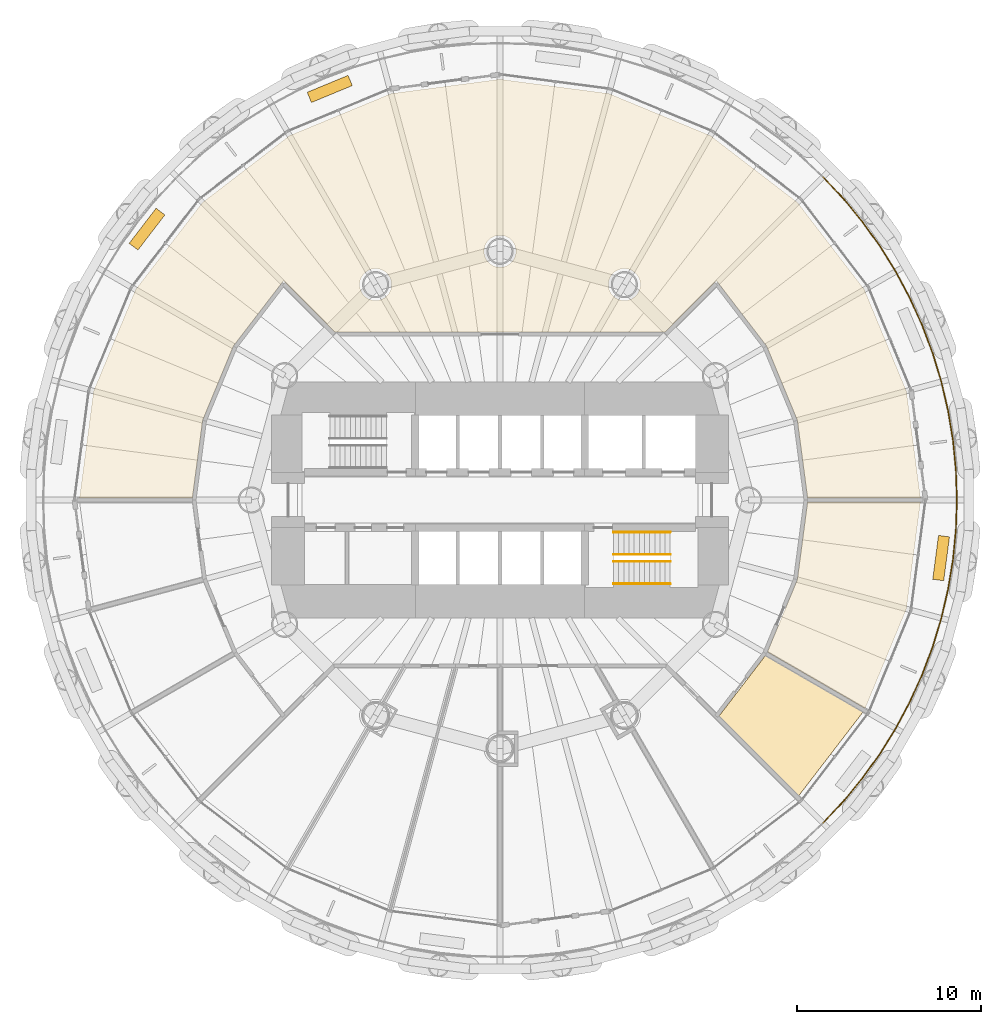
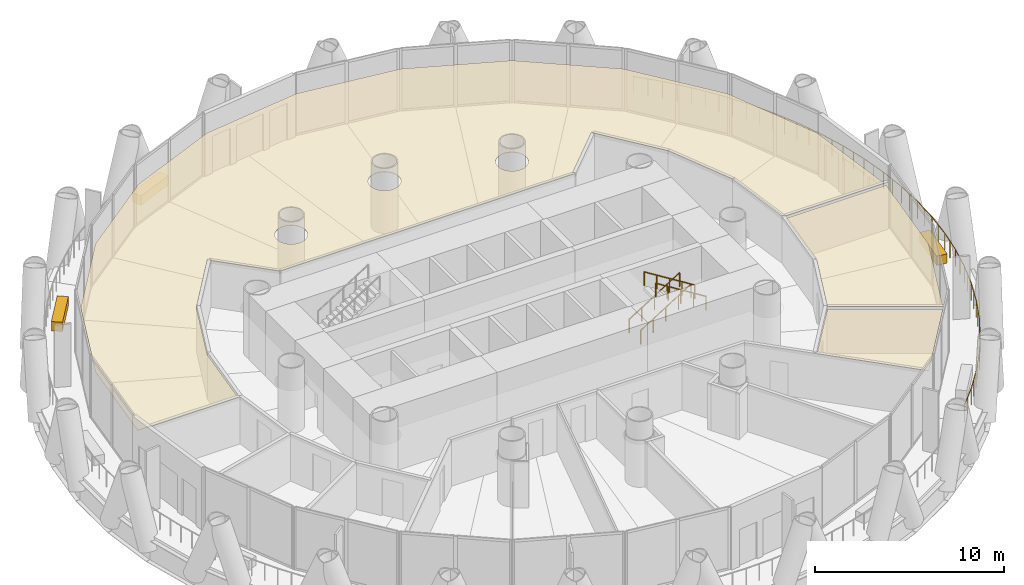
# One storey, part 15 of 16: 6 coverings, 5 railings.
"""IFC4 building model written with IfcOpenShell, lengths in metres."""

from ifc_helpers import new_model, si_unit, direction, frame, origin, origin_2d, place, context, subcontext, project, spatial, polyline, rectangle, circle, outline, extrude, material, layer, layer_set, type_object, element, save


model = new_model("IFC4")

# Units and contexts
model_context = context("Model", 3, precision=1e-05, world=origin(), true_north=direction((0.0, 1.0)))
body_context = subcontext(model_context, "Body", "Model", "MODEL_VIEW")
ifc_project = project(units=[si_unit("LENGTHUNIT", "METRE"), si_unit("AREAUNIT", "SQUARE_METRE"), si_unit("VOLUMEUNIT", "CUBIC_METRE"), si_unit("PLANEANGLEUNIT", "RADIAN"), si_unit("MASSUNIT", "GRAM", prefix="KILO")], contexts=[model_context])

# Site, building, storey
site_placement = place(None, origin())
site = spatial("IfcSite", under=ifc_project, at=site_placement, CompositionType="ELEMENT")
building_placement = place(site_placement, origin())
building = spatial("IfcBuilding", under=site, at=building_placement, Name="Qaws Media Tower", CompositionType="ELEMENT")
storey_placement = place(building_placement, frame((0.0, 0.0, 80.60009765625)))
storey = spatial("IfcBuildingStorey", under=building, at=storey_placement, Name="L17", CompositionType="ELEMENT", Elevation=80.60009765625)

# Coverings
ifc_material_1 = material(Name="40 perforated acoustic panels with mineral wool backing, suspended", Category="mineral fibre")
ifc_layer_1 = layer(ifc_material_1, 0.0400390625)
ifc_layer_set_1 = layer_set([ifc_layer_1], Name="Acoustic panel ceiling 40")
covering_type_1 = type_object("IfcCoveringType", Name="Acoustic panel ceiling 40", PredefinedType="CEILING", material=ifc_layer_set_1)
covering_1_placement = place(storey_placement, frame((0.0, 0.0, 2.849853515625)))
element("IfcCovering", 1, at=covering_1_placement, inside=storey, type_object=covering_type_1, Name="CL3 ceiling L17-02 Newsroom", PredefinedType="CEILING", context=body_context, shape_type="SweptSolid", body=[
    extrude(outline(polyline([(37.94287109375, 55.91015625), (40.22412109375, 61.41748046875), (43.85302734375, 66.14697265625), (48.58251953125, 69.77587890625), (54.08984375, 72.05712890625), (60.0, 72.835205078125), (65.91015625, 72.05712890625), (71.41748046875, 69.77587890625), (76.14697265625, 66.14697265625), (79.77587890625, 61.41748046875), (82.05712890625, 55.91015625), (82.8203125, 50.112548828125), (76.69873046875, 50.112548828125), (76.14404296875, 54.32568359375), (74.474365234375, 58.356689453125), (71.7490234375, 61.908203125), (68.953369140625, 59.112548828125), (51.046630859375, 59.112548828125), (48.2509765625, 61.908203125), (45.525634765625, 58.356689453125), (43.85595703125, 54.32568359375), (43.30126953125, 50.112548828125), (37.1796875, 50.112548828125), (37.94287109375, 55.91015625)]), holes=[polyline([(54.0546875, 61.35791015625), (54.09130859375, 61.4658203125), (54.113525390625, 61.57763671875), (54.12109375, 61.69140625), (54.113525390625, 61.804931640625), (54.09130859375, 61.916748046875), (54.0546875, 62.024658203125), (54.00439453125, 62.126708984375), (53.94091796875, 62.2216796875), (53.865966796875, 62.30712890625), (53.7802734375, 62.38232421875), (53.685546875, 62.44580078125), (53.583251953125, 62.49609375), (53.475341796875, 62.53271484375), (53.36376953125, 62.554931640625), (53.25, 62.562255859375), (53.13623046875, 62.554931640625), (53.024658203125, 62.53271484375), (52.916748046875, 62.49609375), (52.814453125, 62.44580078125), (52.7197265625, 62.38232421875), (52.634033203125, 62.30712890625), (52.55908203125, 62.2216796875), (52.49560546875, 62.126708984375), (52.4453125, 62.024658203125), (52.40869140625, 61.916748046875), (52.386474609375, 61.804931640625), (52.37890625, 61.69140625), (52.386474609375, 61.57763671875), (52.40869140625, 61.4658203125), (52.4453125, 61.35791015625), (52.49560546875, 61.255859375), (52.55908203125, 61.1611328125), (52.634033203125, 61.075439453125), (52.7197265625, 61.000244140625), (52.814453125, 60.93701171875), (52.916748046875, 60.88671875), (53.024658203125, 60.85009765625), (53.13623046875, 60.827880859375), (53.25, 60.8203125), (53.36376953125, 60.827880859375), (53.475341796875, 60.85009765625), (53.583251953125, 60.88671875), (53.685546875, 60.93701171875), (53.7802734375, 61.000244140625), (53.865966796875, 61.075439453125), (53.94091796875, 61.1611328125), (54.00439453125, 61.255859375), (54.0546875, 61.35791015625)]), polyline([(60.8046875, 63.166748046875), (60.84130859375, 63.274658203125), (60.863525390625, 63.38623046875), (60.87109375, 63.5), (60.863525390625, 63.61376953125), (60.84130859375, 63.725341796875), (60.8046875, 63.833251953125), (60.75439453125, 63.935546875), (60.69091796875, 64.0302734375), (60.615966796875, 64.115966796875), (60.5302734375, 64.19091796875), (60.435546875, 64.25439453125), (60.333251953125, 64.3046875), (60.225341796875, 64.34130859375), (60.11376953125, 64.363525390625), (60.0, 64.37109375), (59.88623046875, 64.363525390625), (59.774658203125, 64.34130859375), (59.666748046875, 64.3046875), (59.564453125, 64.25439453125), (59.4697265625, 64.19091796875), (59.384033203125, 64.115966796875), (59.30908203125, 64.0302734375), (59.24560546875, 63.935546875), (59.1953125, 63.833251953125), (59.15869140625, 63.725341796875), (59.136474609375, 63.61376953125), (59.12890625, 63.5), (59.136474609375, 63.38623046875), (59.15869140625, 63.274658203125), (59.1953125, 63.166748046875), (59.24560546875, 63.064453125), (59.30908203125, 62.9697265625), (59.384033203125, 62.884033203125), (59.4697265625, 62.80908203125), (59.564453125, 62.74560546875), (59.666748046875, 62.6953125), (59.774658203125, 62.65869140625), (59.88623046875, 62.636474609375), (60.0, 62.62890625), (60.11376953125, 62.636474609375), (60.225341796875, 62.65869140625), (60.333251953125, 62.6953125), (60.435546875, 62.74560546875), (60.5302734375, 62.80908203125), (60.615966796875, 62.884033203125), (60.69091796875, 62.9697265625), (60.75439453125, 63.064453125), (60.8046875, 63.166748046875)]), polyline([(67.5546875, 61.35791015625), (67.59130859375, 61.4658203125), (67.613525390625, 61.57763671875), (67.62109375, 61.69140625), (67.613525390625, 61.804931640625), (67.59130859375, 61.916748046875), (67.5546875, 62.024658203125), (67.50439453125, 62.126708984375), (67.44091796875, 62.2216796875), (67.365966796875, 62.30712890625), (67.2802734375, 62.38232421875), (67.185546875, 62.44580078125), (67.083251953125, 62.49609375), (66.975341796875, 62.53271484375), (66.86376953125, 62.554931640625), (66.75, 62.562255859375), (66.63623046875, 62.554931640625), (66.524658203125, 62.53271484375), (66.416748046875, 62.49609375), (66.314453125, 62.44580078125), (66.2197265625, 62.38232421875), (66.134033203125, 62.30712890625), (66.05908203125, 62.2216796875), (65.99560546875, 62.126708984375), (65.9453125, 62.024658203125), (65.90869140625, 61.916748046875), (65.886474609375, 61.804931640625), (65.87890625, 61.69140625), (65.886474609375, 61.57763671875), (65.90869140625, 61.4658203125), (65.9453125, 61.35791015625), (65.99560546875, 61.255859375), (66.05908203125, 61.1611328125), (66.134033203125, 61.075439453125), (66.2197265625, 61.000244140625), (66.314453125, 60.93701171875), (66.416748046875, 60.88671875), (66.524658203125, 60.85009765625), (66.63623046875, 60.827880859375), (66.75, 60.8203125), (66.86376953125, 60.827880859375), (66.975341796875, 60.85009765625), (67.083251953125, 60.88671875), (67.185546875, 60.93701171875), (67.2802734375, 61.000244140625), (67.365966796875, 61.075439453125), (67.44091796875, 61.1611328125), (67.50439453125, 61.255859375), (67.5546875, 61.35791015625)])]), origin(), (0.0, 0.0, 1.0), 0.0400390625),
])
covering_2_placement = place(storey_placement, frame((0.0, 0.0, 2.849853515625)))
element("IfcCovering", 2, at=covering_2_placement, inside=storey, type_object=covering_type_1, Name="CL3 ceiling L17-12 Newsroom", PredefinedType="CEILING", context=body_context, shape_type="SweptSolid", body=[
    extrude(outline(polyline([(76.14404296875, 45.67431640625), (76.69873046875, 49.887451171875), (82.8203125, 49.887451171875), (82.05712890625, 44.08984375), (79.8193359375, 38.687255859375), (74.517578125, 41.748046875), (76.14404296875, 45.67431640625)])), origin(), (0.0, 0.0, 1.0), 0.0400390625),
])

# Railing
ifc_material_2 = material(Name="Stainless steel and glass guard", Category="steel")
railing_type_1 = type_object("IfcRailingType", Name="Balcony guard 1100", PredefinedType="GUARDRAIL", material=ifc_material_2)
railing_placement = place(storey_placement, frame((77.5361328125, 32.4638671875, 0.0)))
element("IfcRailing", 3, at=railing_placement, inside=storey, type_object=railing_type_1, Name="GR1 balcony guard L17-4", PredefinedType="GUARDRAIL", context=body_context, shape_type="SweptSolid", body=[
    extrude(circle(Radius=0.02392578125, at=origin_2d()), frame((0.0, 0.0, 1.076171875), z_axis=(0.683635794022, 0.729823335563, 0.0), x_axis=(-0.729823335563, 0.683635794022, 0.0)), (0.0, 0.0, 1.0), 1.622802734375),
    extrude(circle(Radius=0.02392578125, at=origin_2d()), frame((1.109375, 1.184326171875, 1.076171875), z_axis=(0.634351188595, 0.773044998385, 0.0), x_axis=(-0.773044998385, 0.634351188595, 0.0)), (0.0, 0.0, 1.0), 1.623046875),
    extrude(circle(Radius=0.02392578125, at=origin_2d()), frame((2.138916015625, 2.43896484375, 1.076171875), z_axis=(0.582504032604, 0.812827812024, 0.0), x_axis=(-0.812827812024, 0.582504032604, 0.0)), (0.0, 0.0, 1.0), 1.622802734375),
    extrude(circle(Radius=0.02392578125, at=origin_2d()), frame((3.084228515625, 3.758056640625, 1.076171875), z_axis=(0.528145239967, 0.849154052867, 0.0), x_axis=(-0.849154052867, 0.528145239967, 0.0)), (0.0, 0.0, 1.0), 1.623046875),
    extrude(circle(Radius=0.02392578125, at=origin_2d()), frame((3.94140625, 5.13623046875, 1.076171875), z_axis=(0.471361130301, 0.881940295508, 0.0), x_axis=(-0.881940295508, 0.471361130301, 0.0)), (0.0, 0.0, 1.0), 1.622802734375),
    extrude(circle(Radius=0.02392578125, at=origin_2d()), frame((4.706298828125, 6.5673828125, 1.076171875), z_axis=(0.412646518677, 0.910891239734, 0.0), x_axis=(-0.910891239734, 0.412646518677, 0.0)), (0.0, 0.0, 1.0), 1.622802734375),
    extrude(circle(Radius=0.02392578125, at=origin_2d()), frame((5.3759765625, 8.045654296875, 1.076171875), z_axis=(0.352326658486, 0.935877089003, 0.0), x_axis=(-0.935877089003, 0.352326658486, 0.0)), (0.0, 0.0, 1.0), 1.622802734375),
    extrude(circle(Radius=0.02392578125, at=origin_2d()), frame((5.94775390625, 9.564453125, 1.076171875), z_axis=(0.290341398585, 0.956923127669, 0.0), x_axis=(-0.956923127669, 0.290341398585, 0.0)), (0.0, 0.0, 1.0), 1.622802734375),
    extrude(circle(Radius=0.02392578125, at=origin_2d()), frame((6.4189453125, 11.117431640625, 1.076171875), z_axis=(0.227001346389, 0.973894444351, 0.0), x_axis=(-0.973894444351, 0.227001346389, 0.0)), (0.0, 0.0, 1.0), 1.623046875),
    extrude(circle(Radius=0.02392578125, at=origin_2d()), frame((6.787353515625, 12.697998046875, 1.076171875), z_axis=(0.162934989647, 0.986636807112, 0.0), x_axis=(-0.986636807112, 0.162934989647, 0.0)), (0.0, 0.0, 1.0), 1.622802734375),
    extrude(circle(Radius=0.02392578125, at=origin_2d()), frame((7.0517578125, 14.299072265625, 1.076171875), z_axis=(0.097939565983, 0.995192364026, 0.0), x_axis=(-0.995192364026, 0.097939565983, 0.0)), (0.0, 0.0, 1.0), 1.622802734375),
    extrude(circle(Radius=0.02392578125, at=origin_2d()), frame((7.210693359375, 15.9140625, 1.076171875), z_axis=(0.032793911114, 0.999462135048, 0.0), x_axis=(-0.999462135048, 0.032793911114, 0.0)), (0.0, 0.0, 1.0), 1.623046875),
    extrude(circle(Radius=0.02392578125, at=origin_2d()), frame((7.263916015625, 17.5361328125, 1.076171875), z_axis=(-0.032793911114, 0.999462135048, 0.0), x_axis=(-0.999462135048, -0.032793911114, 0.0)), (0.0, 0.0, 1.0), 1.623046875),
    extrude(circle(Radius=0.02392578125, at=origin_2d()), frame((7.210693359375, 19.158203125, 1.076171875), z_axis=(-0.097939565983, 0.995192364026, 0.0), x_axis=(-0.995192364026, -0.097939565983, 0.0)), (0.0, 0.0, 1.0), 1.622802734375),
    extrude(circle(Radius=0.02392578125, at=origin_2d()), frame((7.0517578125, 20.773193359375, 1.076171875), z_axis=(-0.162934989647, 0.986636807112, 0.0), x_axis=(-0.986636807112, -0.162934989647, 0.0)), (0.0, 0.0, 1.0), 1.622802734375),
    extrude(circle(Radius=0.02392578125, at=origin_2d()), frame((6.787353515625, 22.374267578125, 1.076171875), z_axis=(-0.227001346389, 0.973894444351, 0.0), x_axis=(-0.973894444351, -0.227001346389, 0.0)), (0.0, 0.0, 1.0), 1.623046875),
    extrude(circle(Radius=0.02392578125, at=origin_2d()), frame((6.4189453125, 23.954833984375, 1.076171875), z_axis=(-0.290341398585, 0.956923127669, 0.0), x_axis=(-0.956923127669, -0.290341398585, 0.0)), (0.0, 0.0, 1.0), 1.622802734375),
    extrude(circle(Radius=0.02392578125, at=origin_2d()), frame((5.94775390625, 25.5078125, 1.076171875), z_axis=(-0.352326658486, 0.935877089003, 0.0), x_axis=(-0.935877089003, -0.352326658486, 0.0)), (0.0, 0.0, 1.0), 1.622802734375),
    extrude(circle(Radius=0.02392578125, at=origin_2d()), frame((5.3759765625, 27.026611328125, 1.076171875), z_axis=(-0.412646518677, 0.910891239734, 0.0), x_axis=(-0.910891239734, -0.412646518677, 0.0)), (0.0, 0.0, 1.0), 1.622802734375),
    extrude(circle(Radius=0.02392578125, at=origin_2d()), frame((4.706298828125, 28.5048828125, 1.076171875), z_axis=(-0.471361130301, 0.881940295508, 0.0), x_axis=(-0.881940295508, -0.471361130301, 0.0)), (0.0, 0.0, 1.0), 1.622802734375),
    extrude(circle(Radius=0.02392578125, at=origin_2d()), frame((3.94140625, 29.93603515625, 1.076171875), z_axis=(-0.528145239967, 0.849154052867, 0.0), x_axis=(-0.849154052867, -0.528145239967, 0.0)), (0.0, 0.0, 1.0), 1.623046875),
    extrude(circle(Radius=0.02392578125, at=origin_2d()), frame((3.084228515625, 31.314208984375, 1.076171875), z_axis=(-0.582504032604, 0.812827812024, 0.0), x_axis=(-0.812827812024, -0.582504032604, 0.0)), (0.0, 0.0, 1.0), 1.622802734375),
    extrude(circle(Radius=0.02392578125, at=origin_2d()), frame((2.138916015625, 32.63330078125, 1.076171875), z_axis=(-0.634351188595, 0.773044998385, 0.0), x_axis=(-0.773044998385, -0.634351188595, 0.0)), (0.0, 0.0, 1.0), 1.623046875),
    extrude(circle(Radius=0.02392578125, at=origin_2d()), frame((1.109375, 33.887939453125, 1.076171875), z_axis=(-0.683635794022, 0.729823335563, 0.0), x_axis=(-0.729823335563, -0.683635794022, 0.0)), (0.0, 0.0, 1.0), 1.622802734375),
    extrude(circle(Radius=0.02099609375, at=origin_2d()), origin(), (0.0, 0.0, 1.0), 1.052001953125),
    extrude(circle(Radius=0.02099609375, at=origin_2d()), frame((0.5546875, 0.59228515625, 0.0)), (0.0, 0.0, 1.0), 1.052001953125),
    extrude(circle(Radius=0.02099609375, at=origin_2d()), frame((1.109375, 1.184326171875, 0.0)), (0.0, 0.0, 1.0), 1.052001953125),
    extrude(circle(Radius=0.02099609375, at=origin_2d()), frame((1.6240234375, 1.8115234375, 0.0)), (0.0, 0.0, 1.0), 1.052001953125),
    extrude(circle(Radius=0.02099609375, at=origin_2d()), frame((2.138916015625, 2.43896484375, 0.0)), (0.0, 0.0, 1.0), 1.052001953125),
    extrude(circle(Radius=0.02099609375, at=origin_2d()), frame((2.611572265625, 3.0986328125, 0.0)), (0.0, 0.0, 1.0), 1.052001953125),
    extrude(circle(Radius=0.02099609375, at=origin_2d()), frame((3.084228515625, 3.758056640625, 0.0)), (0.0, 0.0, 1.0), 1.052001953125),
    extrude(circle(Radius=0.02099609375, at=origin_2d()), frame((3.5126953125, 4.447265625, 0.0)), (0.0, 0.0, 1.0), 1.052001953125),
    extrude(circle(Radius=0.02099609375, at=origin_2d()), frame((3.94140625, 5.13623046875, 0.0)), (0.0, 0.0, 1.0), 1.052001953125),
    extrude(circle(Radius=0.02099609375, at=origin_2d()), frame((4.32373046875, 5.851806640625, 0.0)), (0.0, 0.0, 1.0), 1.052001953125),
    extrude(circle(Radius=0.02099609375, at=origin_2d()), frame((4.706298828125, 6.5673828125, 0.0)), (0.0, 0.0, 1.0), 1.052001953125),
    extrude(circle(Radius=0.02099609375, at=origin_2d()), frame((5.041015625, 7.306640625, 0.0)), (0.0, 0.0, 1.0), 1.052001953125),
    extrude(circle(Radius=0.02099609375, at=origin_2d()), frame((5.3759765625, 8.045654296875, 0.0)), (0.0, 0.0, 1.0), 1.052001953125),
    extrude(circle(Radius=0.02099609375, at=origin_2d()), frame((5.661865234375, 8.80517578125, 0.0)), (0.0, 0.0, 1.0), 1.052001953125),
    extrude(circle(Radius=0.02099609375, at=origin_2d()), frame((5.94775390625, 9.564453125, 0.0)), (0.0, 0.0, 1.0), 1.052001953125),
    extrude(circle(Radius=0.02099609375, at=origin_2d()), frame((6.183349609375, 10.3408203125, 0.0)), (0.0, 0.0, 1.0), 1.052001953125),
    extrude(circle(Radius=0.02099609375, at=origin_2d()), frame((6.4189453125, 11.117431640625, 0.0)), (0.0, 0.0, 1.0), 1.052001953125),
    extrude(circle(Radius=0.02099609375, at=origin_2d()), frame((6.60302734375, 11.90771484375, 0.0)), (0.0, 0.0, 1.0), 1.052001953125),
    extrude(circle(Radius=0.02099609375, at=origin_2d()), frame((6.787353515625, 12.697998046875, 0.0)), (0.0, 0.0, 1.0), 1.052001953125),
    extrude(circle(Radius=0.02099609375, at=origin_2d()), frame((6.91943359375, 13.49853515625, 0.0)), (0.0, 0.0, 1.0), 1.052001953125),
    extrude(circle(Radius=0.02099609375, at=origin_2d()), frame((7.0517578125, 14.299072265625, 0.0)), (0.0, 0.0, 1.0), 1.052001953125),
    extrude(circle(Radius=0.02099609375, at=origin_2d()), frame((7.13134765625, 15.1064453125, 0.0)), (0.0, 0.0, 1.0), 1.052001953125),
    extrude(circle(Radius=0.02099609375, at=origin_2d()), frame((7.210693359375, 15.9140625, 0.0)), (0.0, 0.0, 1.0), 1.052001953125),
    extrude(circle(Radius=0.02099609375, at=origin_2d()), frame((7.2373046875, 16.72509765625, 0.0)), (0.0, 0.0, 1.0), 1.052001953125),
    extrude(circle(Radius=0.02099609375, at=origin_2d()), frame((7.263916015625, 17.5361328125, 0.0)), (0.0, 0.0, 1.0), 1.052001953125),
    extrude(circle(Radius=0.02099609375, at=origin_2d()), frame((7.2373046875, 18.34716796875, 0.0)), (0.0, 0.0, 1.0), 1.052001953125),
    extrude(circle(Radius=0.02099609375, at=origin_2d()), frame((7.210693359375, 19.158203125, 0.0)), (0.0, 0.0, 1.0), 1.052001953125),
    extrude(circle(Radius=0.02099609375, at=origin_2d()), frame((7.13134765625, 19.9658203125, 0.0)), (0.0, 0.0, 1.0), 1.052001953125),
    extrude(circle(Radius=0.02099609375, at=origin_2d()), frame((7.0517578125, 20.773193359375, 0.0)), (0.0, 0.0, 1.0), 1.052001953125),
    extrude(circle(Radius=0.02099609375, at=origin_2d()), frame((6.91943359375, 21.57373046875, 0.0)), (0.0, 0.0, 1.0), 1.052001953125),
    extrude(circle(Radius=0.02099609375, at=origin_2d()), frame((6.787353515625, 22.374267578125, 0.0)), (0.0, 0.0, 1.0), 1.052001953125),
    extrude(circle(Radius=0.02099609375, at=origin_2d()), frame((6.60302734375, 23.16455078125, 0.0)), (0.0, 0.0, 1.0), 1.052001953125),
    extrude(circle(Radius=0.02099609375, at=origin_2d()), frame((6.4189453125, 23.954833984375, 0.0)), (0.0, 0.0, 1.0), 1.052001953125),
    extrude(circle(Radius=0.02099609375, at=origin_2d()), frame((6.183349609375, 24.7314453125, 0.0)), (0.0, 0.0, 1.0), 1.052001953125),
    extrude(circle(Radius=0.02099609375, at=origin_2d()), frame((5.94775390625, 25.5078125, 0.0)), (0.0, 0.0, 1.0), 1.052001953125),
    extrude(circle(Radius=0.02099609375, at=origin_2d()), frame((5.661865234375, 26.26708984375, 0.0)), (0.0, 0.0, 1.0), 1.052001953125),
    extrude(circle(Radius=0.02099609375, at=origin_2d()), frame((5.3759765625, 27.026611328125, 0.0)), (0.0, 0.0, 1.0), 1.052001953125),
    extrude(circle(Radius=0.02099609375, at=origin_2d()), frame((5.041015625, 27.765625, 0.0)), (0.0, 0.0, 1.0), 1.052001953125),
    extrude(circle(Radius=0.02099609375, at=origin_2d()), frame((4.706298828125, 28.5048828125, 0.0)), (0.0, 0.0, 1.0), 1.052001953125),
    extrude(circle(Radius=0.02099609375, at=origin_2d()), frame((4.32373046875, 29.220458984375, 0.0)), (0.0, 0.0, 1.0), 1.052001953125),
    extrude(circle(Radius=0.02099609375, at=origin_2d()), frame((3.94140625, 29.93603515625, 0.0)), (0.0, 0.0, 1.0), 1.052001953125),
    extrude(circle(Radius=0.02099609375, at=origin_2d()), frame((3.5126953125, 30.625, 0.0)), (0.0, 0.0, 1.0), 1.052001953125),
    extrude(circle(Radius=0.02099609375, at=origin_2d()), frame((3.084228515625, 31.314208984375, 0.0)), (0.0, 0.0, 1.0), 1.052001953125),
    extrude(circle(Radius=0.02099609375, at=origin_2d()), frame((2.611572265625, 31.9736328125, 0.0)), (0.0, 0.0, 1.0), 1.052001953125),
    extrude(circle(Radius=0.02099609375, at=origin_2d()), frame((2.138916015625, 32.63330078125, 0.0)), (0.0, 0.0, 1.0), 1.052001953125),
    extrude(circle(Radius=0.02099609375, at=origin_2d()), frame((1.6240234375, 33.2607421875, 0.0)), (0.0, 0.0, 1.0), 1.052001953125),
    extrude(circle(Radius=0.02099609375, at=origin_2d()), frame((1.109375, 33.887939453125, 0.0)), (0.0, 0.0, 1.0), 1.052001953125),
    extrude(circle(Radius=0.02099609375, at=origin_2d()), frame((0.5546875, 34.47998046875, 0.0)), (0.0, 0.0, 1.0), 1.052001953125),
    extrude(circle(Radius=0.02099609375, at=origin_2d()), frame((0.0, 35.072265625, 0.0)), (0.0, 0.0, 1.0), 1.052001953125),
])

# Coverings
ifc_material_3 = material(Name="600 x 600 mineral fibre tiles in exposed grid, suspended", Category="mineral fibre")
ifc_layer_2 = layer(ifc_material_3, 0.02001953125)
ifc_layer_set_2 = layer_set([ifc_layer_2], Name="Mineral fibre tile ceiling 20")
covering_type_2 = type_object("IfcCoveringType", Name="Mineral fibre tile ceiling 20", PredefinedType="CEILING", material=ifc_layer_set_2)
covering_3_placement = place(storey_placement, frame((0.0, 0.0, 2.849853515625)))
element("IfcCovering", 4, at=covering_3_placement, inside=storey, type_object=covering_type_2, Name="CL1 ceiling L17-11 Ladies toilets", PredefinedType="CEILING", context=body_context, shape_type="SweptSolid", body=[
    extrude(outline(polyline([(76.216064453125, 33.943115234375), (71.88720703125, 38.271728515625), (74.4052734375, 41.55322265625), (79.706787109375, 38.492431640625), (76.216064453125, 33.943115234375)])), origin(), (0.0, 0.0, 1.0), 0.02001953125),
])
ifc_material_4 = material(Name="Precast concrete planter with trailing planting", Category="concrete")
ifc_layer_3 = layer(ifc_material_4, 0.60009765625)
ifc_layer_set_3 = layer_set([ifc_layer_3], Name="Planter 2400x600")
covering_type_3 = type_object("IfcCoveringType", Name="Planter 2400x600", PredefinedType="USERDEFINED", material=ifc_layer_set_3)
for number, where, z_axis, x_axis, name in (
    (5, (50.75830078125, 72.311767578125, -0.000244140625), (0.0, 0.0, 1.0), (-0.923879532511, -0.382683432365, 0.0), "PL1 balcony planter L17-04"),
    (6, (40.840576171875, 64.70166015625, -0.000244140625), (0.0, 0.0, 1.0), (-0.608761429009, -0.793353340291, 0.0), "PL1 balcony planter L17-05"),
    (7, (83.943359375, 46.847900390625, -0.000244140625), (0.0, 0.0, 1.0), (0.13052619222, 0.991444861374, 0.0), "PL1 balcony planter L17-12"),
):
    element("IfcCovering", number, at=place(storey_placement, frame(where, z_axis=z_axis, x_axis=x_axis)), inside=storey, type_object=covering_type_3, Name=name, ObjectType="PLANTER", PredefinedType="USERDEFINED", context=body_context, shape_type="SweptSolid", body=[
        extrude(rectangle(XDim=2.39990234375, YDim=0.60009765625, at=origin_2d()), origin(), (0.0, 0.0, 1.0), 0.60009765625),
    ])

# Railings
ifc_material_5 = material(Name="Steel tube handrail", Category="steel")
railing_type_2 = type_object("IfcRailingType", Name="Stair handrail 900", PredefinedType="HANDRAIL", material=ifc_material_5)
for number, where, name in (
    (8, (66.159912109375, 48.25, 0.1748046875), "HR1 handrail S2 flight 1 L17"),
    (9, (66.159912109375, 47.0400390625, 0.1748046875), "HR1 handrail S2 flight 1 L17"),
):
    element("IfcRailing", number, at=place(storey_placement, frame(where)), inside=storey, type_object=railing_type_2, Name=name, PredefinedType="HANDRAIL", context=body_context, shape_type="SweptSolid", body=[
        extrude(circle(Radius=0.02392578125, at=origin_2d()), frame((0.0, 0.0, 0.8759765625), z_axis=(0.847998304005, 0.0, 0.529998940003), x_axis=(0.0, 1.0, 0.0)), (0.0, 0.0, 1.0), 3.632080078125),
        extrude(circle(Radius=0.02099609375, at=origin_2d()), origin(), (0.0, 0.0, 1.0), 0.851806640625),
        extrude(circle(Radius=0.02099609375, at=origin_2d()), frame((0.77001953125, 0.0, 0.481201171875)), (0.0, 0.0, 1.0), 0.851806640625),
        extrude(circle(Radius=0.02099609375, at=origin_2d()), frame((1.5400390625, 0.0, 0.96240234375)), (0.0, 0.0, 1.0), 0.851806640625),
        extrude(circle(Radius=0.02099609375, at=origin_2d()), frame((2.31005859375, 0.0, 1.44384765625)), (0.0, 0.0, 1.0), 0.851806640625),
        extrude(circle(Radius=0.02099609375, at=origin_2d()), frame((3.080078125, 0.0, 1.925048828125)), (0.0, 0.0, 1.0), 0.851806640625),
    ])
for number, where, name in (
    (10, (69.239990234375, 45.449951171875, 2.27490234375), "HR1 handrail S2 flight 2 L17"),
    (11, (69.239990234375, 46.659912109375, 2.27490234375), "HR1 handrail S2 flight 2 L17"),
):
    element("IfcRailing", number, at=place(storey_placement, frame(where)), inside=storey, type_object=railing_type_2, Name=name, PredefinedType="HANDRAIL", context=body_context, shape_type="SweptSolid", body=[
        extrude(circle(Radius=0.02392578125, at=origin_2d()), frame((0.0, 0.0, 0.8759765625), z_axis=(-0.847998304005, 0.0, 0.529998940003), x_axis=(0.0, -1.0, 0.0)), (0.0, 0.0, 1.0), 3.632080078125),
        extrude(circle(Radius=0.02099609375, at=origin_2d()), origin(), (0.0, 0.0, 1.0), 0.851806640625),
        extrude(circle(Radius=0.02099609375, at=origin_2d()), frame((-0.77001953125, 0.0, 0.481201171875)), (0.0, 0.0, 1.0), 0.851806640625),
        extrude(circle(Radius=0.02099609375, at=origin_2d()), frame((-1.5400390625, 0.0, 0.96240234375)), (0.0, 0.0, 1.0), 0.851806640625),
        extrude(circle(Radius=0.02099609375, at=origin_2d()), frame((-2.31005859375, 0.0, 1.44384765625)), (0.0, 0.0, 1.0), 0.851806640625),
        extrude(circle(Radius=0.02099609375, at=origin_2d()), frame((-3.080078125, 0.0, 1.925048828125)), (0.0, 0.0, 1.0), 0.851806640625),
    ])

save(model, "model.ifc")
